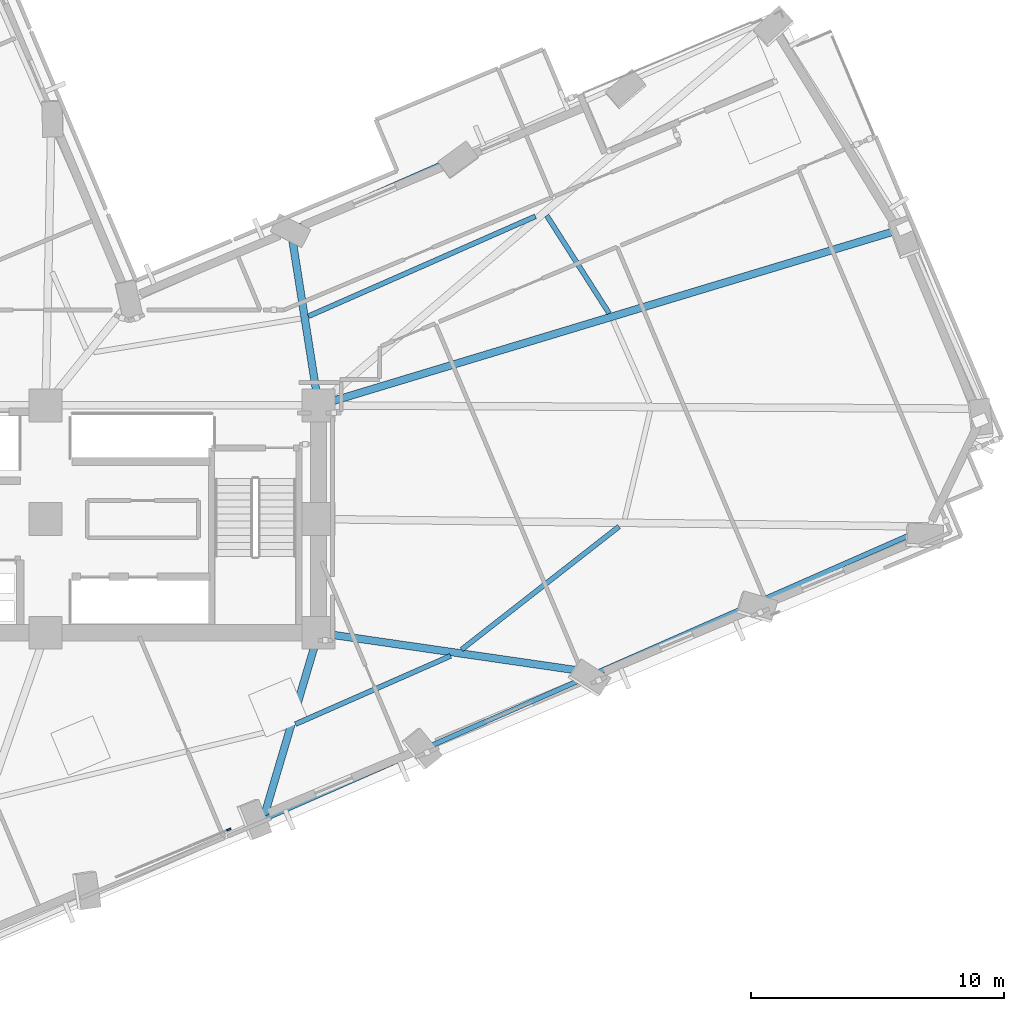
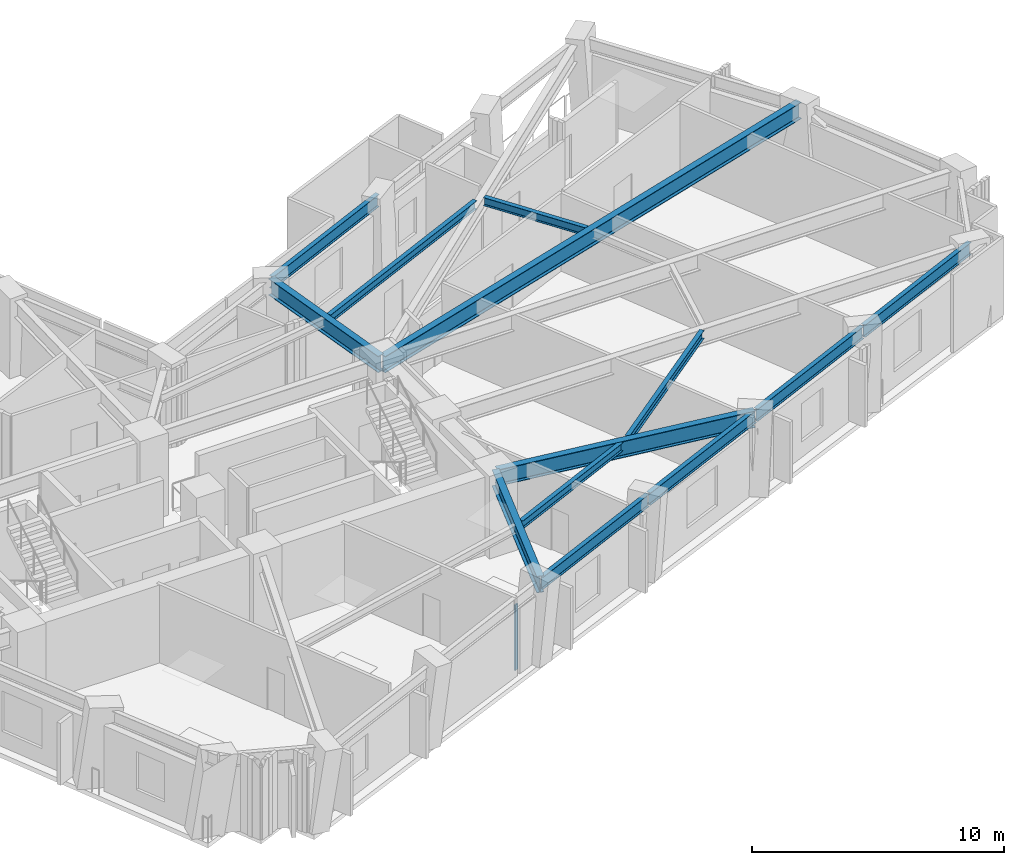
# One storey, part 4 of 18: 13 beams, 1 member, 1 element without a shape of its own.
"""IFC4 building model written with IfcOpenShell, lengths in metres."""

from ifc_helpers import new_model, si_unit, direction, frame, origin, origin_2d, place, context, subcontext, project, spatial, rectangle, i_section, extrude, material, material_profile, profile_set, type_object, element, aggregate, save


model = new_model("IFC4")

# Units and contexts
model_context = context("Model", 3, precision=1e-05, world=origin(), true_north=direction((0.0, 1.0)))
body_context = subcontext(model_context, "Body", "Model", "MODEL_VIEW")
ifc_project = project(units=[si_unit("LENGTHUNIT", "METRE"), si_unit("AREAUNIT", "SQUARE_METRE"), si_unit("VOLUMEUNIT", "CUBIC_METRE"), si_unit("PLANEANGLEUNIT", "RADIAN"), si_unit("MASSUNIT", "GRAM", prefix="KILO")], contexts=[model_context])

# Site, building, storey
site_placement = place(None, origin())
site = spatial("IfcSite", under=ifc_project, at=site_placement, CompositionType="ELEMENT")
building_placement = place(site_placement, origin())
building = spatial("IfcBuilding", under=site, at=building_placement, Name="Gaonmaruhae Medical Tower", CompositionType="ELEMENT")
storey_placement = place(building_placement, frame((0.0, 0.0, 120.39990234375)))
storey = spatial("IfcBuildingStorey", under=building, at=storey_placement, Name="L28", CompositionType="ELEMENT", Elevation=120.39990234375)

# Curtain wall, member
ifc_material_1 = material(Name="Anodised aluminium and Low-E double glazing", Category="aluminium")
curtain_wall_type = type_object("IfcCurtainWallType", Name="CW-S3 Spiralling Dayroom Ribbon Curtain Wall", PredefinedType="NOTDEFINED", material=ifc_material_1)
curtain_wall_placement = place(storey_placement, origin())
curtain_wall = element("IfcCurtainWall", 1, at=curtain_wall_placement, inside=storey, type_object=curtain_wall_type, Name="L28 Curtain Wall CW-L28-S02", PredefinedType="NOTDEFINED")
ifc_material_2 = material(Name="Anodised aluminium 6063-T6", Category="aluminium")
ifc_material_profile_1 = material_profile(ifc_material_2, rectangle(XDim=0.06494140625, YDim=0.179931640625, at=origin_2d()), Name="CWM-65x180")
ifc_profile_set_1 = profile_set([ifc_material_profile_1], Name="Anodised aluminium 6063-T6")
member_type = type_object("IfcMemberType", Name="CWM-2 Tower Feature Curtain Wall Mullion (CWM-65x180)", PredefinedType="MULLION", material=ifc_profile_set_1)
member_placement = place(storey_placement, frame((32.05322265625, 0.013916015625, 0.0), z_axis=(0.0, 0.0, 1.0), x_axis=(0.387516387502, -0.921862814858, 0.0)))
member = element("IfcMember", 2, at=member_placement, type_object=member_type, Name="CW-S3 mullion 1", PredefinedType="MULLION", context=body_context, shape_type="SweptSolid", body=[
    extrude(rectangle(XDim=0.06494140625, YDim=0.179931640625, at=origin_2d()), origin(), (0.0, 0.0, 1.0), 3.1650390625),
])
aggregate(curtain_wall, [member])

# Beams
ifc_material_3 = material(Name="Steel SM355", Category="steel")
ifc_material_profile_2 = material_profile(ifc_material_3, i_section(OverallWidth=0.199951171875, OverallDepth=0.39990234375, WebThickness=0.008056640625, FlangeThickness=0.012939453125, FilletRadius=0.012939453125, at=origin_2d()), Name="H-400x200x8x13")
ifc_profile_set_2 = profile_set([ifc_material_profile_2], Name="Steel SM355")
beam_type_1 = type_object("IfcBeamType", Name="FJ-01 Lower Zone Ward Floor Joist (H-400x200x8x13)", PredefinedType="JOIST", material=ifc_profile_set_2)
beam_1_placement = place(storey_placement, frame((34.689453125, 4.18505859375, 3.580078125), z_axis=(0.915320935214, 0.402725198564, 0.0), x_axis=(-0.402725198564, 0.915320935214, 0.0)))
element("IfcBeam", 3, at=beam_1_placement, inside=storey, type_object=beam_type_1, Name="L28 Secondary Floor Joist FJ02", PredefinedType="JOIST", context=body_context, shape_type="SweptSolid", body=[
    extrude(i_section(OverallWidth=0.199951171875, OverallDepth=0.39990234375, WebThickness=0.008056640625, FlangeThickness=0.012939453125, FilletRadius=0.012939453125, at=origin_2d()), origin(), (0.0, 0.0, 1.0), 6.70849609375),
])
beam_2_placement = place(storey_placement, frame((41.262451171875, 7.134765625, 3.580078125), z_axis=(0.78797145557, 0.61571177121, 0.0), x_axis=(-0.61571177121, 0.78797145557, 0.0)))
element("IfcBeam", 4, at=beam_2_placement, inside=storey, type_object=beam_type_1, Name="L28 Secondary Floor Joist FJ03", PredefinedType="JOIST", context=body_context, shape_type="SweptSolid", body=[
    extrude(i_section(OverallWidth=0.199951171875, OverallDepth=0.39990234375, WebThickness=0.008056640625, FlangeThickness=0.012939453125, FilletRadius=0.012939453125, at=origin_2d()), origin(), (0.0, 0.0, 1.0), 7.904296875),
])
beam_3_placement = place(storey_placement, frame((47.10400390625, 20.4404296875, 3.580078125), z_axis=(-0.5379011115, 0.843007944356, 0.0), x_axis=(-0.843007944356, -0.5379011115, 0.0)))
element("IfcBeam", 5, at=beam_3_placement, inside=storey, type_object=beam_type_1, Name="L28 Secondary Floor Joist FJ06", PredefinedType="JOIST", context=body_context, shape_type="SweptSolid", body=[
    extrude(i_section(OverallWidth=0.199951171875, OverallDepth=0.39990234375, WebThickness=0.008056640625, FlangeThickness=0.012939453125, FilletRadius=0.012939453125, at=origin_2d()), origin(), (0.0, 0.0, 1.0), 4.588134765625),
])
beam_4_placement = place(storey_placement, frame((44.1845703125, 24.27978515625, 3.580078125), z_axis=(-0.915315399268, -0.402737780526, 0.0), x_axis=(0.402737780526, -0.915315399268, 0.0)))
element("IfcBeam", 6, at=beam_4_placement, inside=storey, type_object=beam_type_1, Name="L28 Secondary Floor Joist FJ07", PredefinedType="JOIST", context=body_context, shape_type="SweptSolid", body=[
    extrude(i_section(OverallWidth=0.199951171875, OverallDepth=0.39990234375, WebThickness=0.008056640625, FlangeThickness=0.012939453125, FilletRadius=0.012939453125, at=origin_2d()), origin(), (0.0, 0.0, 1.0), 9.813232421875),
])
ifc_material_4 = material(Name="Steel SM420", Category="steel")
ifc_material_profile_3 = material_profile(ifc_material_4, i_section(OverallWidth=0.300048828125, OverallDepth=0.800048828125, WebThickness=0.013916015625, FlangeThickness=0.02587890625, FilletRadius=0.01806640625, at=origin_2d()), Name="H-800x300x14x26")
ifc_profile_set_3 = profile_set([ifc_material_profile_3], Name="Steel SM420")
beam_type_2 = type_object("IfcBeamType", Name="PG-02 Zone 2 Radial Floor Girder (H-800x300x14x26)", PredefinedType="BEAM", material=ifc_profile_set_3)
beam_5_placement = place(storey_placement, frame((35.585693359375, 7.751953125, 3.380126953125), z_axis=(-0.284265253284, -0.958745673145, 0.0), x_axis=(0.958745673145, -0.284265253284, 0.0)))
element("IfcBeam", 7, at=beam_5_placement, inside=storey, type_object=beam_type_2, Name="L28 Radial Primary Girder S03", PredefinedType="BEAM", context=body_context, shape_type="SweptSolid", body=[
    extrude(i_section(OverallWidth=0.300048828125, OverallDepth=0.800048828125, WebThickness=0.013916015625, FlangeThickness=0.02587890625, FilletRadius=0.01806640625, at=origin_2d()), origin(), (0.0, 0.0, 1.0), 7.611083984375),
])
beam_6_placement = place(storey_placement, frame((35.6494140625, 7.792724609375, 3.380126953125), z_axis=(0.98964909358, -0.143508437299, 0.0), x_axis=(0.143508437299, 0.98964909358, 0.0)))
element("IfcBeam", 8, at=beam_6_placement, inside=storey, type_object=beam_type_2, Name="L28 Radial Primary Girder S05", PredefinedType="BEAM", context=body_context, shape_type="SweptSolid", body=[
    extrude(i_section(OverallWidth=0.300048828125, OverallDepth=0.800048828125, WebThickness=0.013916015625, FlangeThickness=0.02587890625, FilletRadius=0.01806640625, at=origin_2d()), origin(), (0.0, 0.0, 1.0), 11.003662109375),
])
beam_7_placement = place(storey_placement, frame((35.64794921875, 16.814453125, 3.380126953125), z_axis=(0.957218469734, 0.289366206043, 0.0), x_axis=(-0.289366206043, 0.957218469734, 0.0)))
element("IfcBeam", 9, at=beam_7_placement, inside=storey, type_object=beam_type_2, Name="L28 Radial Primary Girder E02", PredefinedType="BEAM", context=body_context, shape_type="SweptSolid", body=[
    extrude(i_section(OverallWidth=0.300048828125, OverallDepth=0.800048828125, WebThickness=0.013916015625, FlangeThickness=0.02587890625, FilletRadius=0.01806640625, at=origin_2d()), origin(), (0.0, 0.0, 1.0), 24.1181640625),
])
beam_8_placement = place(storey_placement, frame((35.59228515625, 16.849365234375, 3.380126953125), z_axis=(-0.155512653919, 0.987833900244, 0.0), x_axis=(-0.987833900244, -0.155512653919, 0.0)))
element("IfcBeam", 10, at=beam_8_placement, inside=storey, type_object=beam_type_2, Name="L28 Radial Primary Girder EN03", PredefinedType="BEAM", context=body_context, shape_type="SweptSolid", body=[
    extrude(i_section(OverallWidth=0.300048828125, OverallDepth=0.800048828125, WebThickness=0.013916015625, FlangeThickness=0.02587890625, FilletRadius=0.01806640625, at=origin_2d()), origin(), (0.0, 0.0, 1.0), 6.91064453125),
])
ifc_material_profile_4 = material_profile(ifc_material_3, i_section(OverallWidth=0.199951171875, OverallDepth=0.60009765625, WebThickness=0.010986328125, FlangeThickness=0.01708984375, FilletRadius=0.012939453125, at=origin_2d()), Name="H-600x200x11x17")
ifc_profile_set_4 = profile_set([ifc_material_profile_4], Name="Steel SM355")
beam_type_3 = type_object("IfcBeamType", Name="SP-01 Lower Perimeter Spandrel Beam (H-600x200x11x17)", PredefinedType="SPANDREL", material=ifc_profile_set_4)
beam_9_placement = place(storey_placement, frame((33.444580078125, 0.4228515625, 3.47998046875), z_axis=(0.91530694264, 0.402756999635, 0.0), x_axis=(-0.402756999635, 0.91530694264, 0.0)))
element("IfcBeam", 11, at=beam_9_placement, inside=storey, type_object=beam_type_3, Name="L28 Perimeter Spandrel Beam S03-S04", PredefinedType="SPANDREL", context=body_context, shape_type="SweptSolid", body=[
    extrude(i_section(OverallWidth=0.199951171875, OverallDepth=0.60009765625, WebThickness=0.010986328125, FlangeThickness=0.01708984375, FilletRadius=0.012939453125, at=origin_2d()), origin(), (0.0, 0.0, 1.0), 7.1201171875),
])
beam_10_placement = place(storey_placement, frame((40.034912109375, 3.32275390625, 3.47998046875), z_axis=(0.915314021174, 0.40274091255, 0.0), x_axis=(-0.40274091255, 0.915314021174, 0.0)))
element("IfcBeam", 12, at=beam_10_placement, inside=storey, type_object=beam_type_3, Name="L28 Perimeter Spandrel Beam S04-S05", PredefinedType="SPANDREL", context=body_context, shape_type="SweptSolid", body=[
    extrude(i_section(OverallWidth=0.199951171875, OverallDepth=0.60009765625, WebThickness=0.010986328125, FlangeThickness=0.01708984375, FilletRadius=0.012939453125, at=origin_2d()), origin(), (0.0, 0.0, 1.0), 7.119873046875),
])
for number, where, z_axis, x_axis, name in (
    (13, (46.625, 6.222412109375, 3.47998046875), (0.91530694264, 0.402756999635, 0.0), (-0.402756999635, 0.91530694264, 0.0), "L28 Perimeter Spandrel Beam S05-S06"),
    (14, (53.21533203125, 9.122314453125, 3.47998046875), (0.915319582826, 0.402728272282, 0.0), (-0.402728272282, 0.915319582826, 0.0), "L28 Perimeter Spandrel Beam S06-S07"),
    (15, (41.0634765625, 26.609130859375, 3.47998046875), (-0.91530694264, -0.402756999635, 0.0), (0.402756999635, -0.91530694264, 0.0), "L28 Perimeter Spandrel Beam EN02-EN03"),
):
    element("IfcBeam", number, at=place(storey_placement, frame(where, z_axis=z_axis, x_axis=x_axis)), inside=storey, type_object=beam_type_3, Name=name, PredefinedType="SPANDREL", context=body_context, shape_type="SweptSolid", body=[
        extrude(i_section(OverallWidth=0.199951171875, OverallDepth=0.60009765625, WebThickness=0.010986328125, FlangeThickness=0.01708984375, FilletRadius=0.012939453125, at=origin_2d()), origin(), (0.0, 0.0, 1.0), 7.1201171875),
    ])

save(model, "model.ifc")
